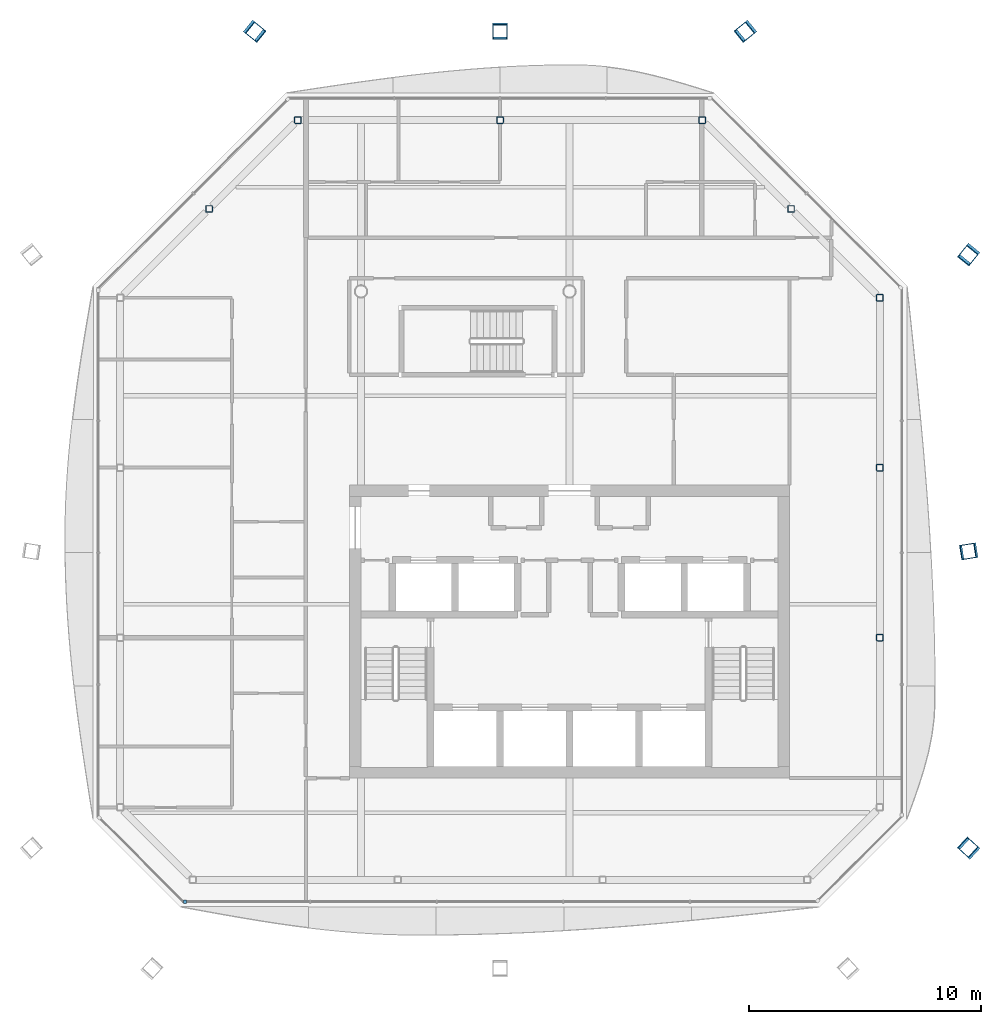
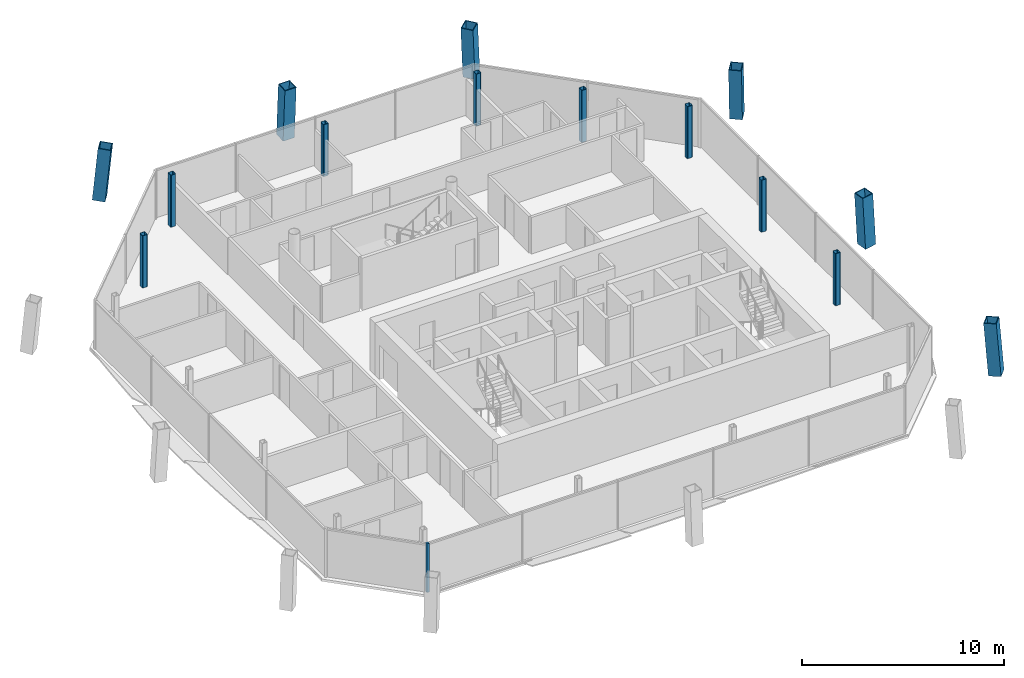
# One storey, part 2 of 16: 14 columns, 1 member, 1 element without a shape of its own.
"""IFC4 building model written with IfcOpenShell, lengths in metres."""

from ifc_helpers import new_model, si_unit, direction, frame, origin, origin_2d, place, context, subcontext, project, spatial, rectangle, hollow_rectangle, extrude, material, material_profile, profile_set, type_object, element, aggregate, save


model = new_model("IFC4")

# Units and contexts
model_context = context("Model", 3, precision=1e-05, world=origin(), true_north=direction((0.0, 1.0)))
body_context = subcontext(model_context, "Body", "Model", "MODEL_VIEW")
ifc_project = project(units=[si_unit("LENGTHUNIT", "METRE"), si_unit("AREAUNIT", "SQUARE_METRE"), si_unit("VOLUMEUNIT", "CUBIC_METRE"), si_unit("PLANEANGLEUNIT", "RADIAN"), si_unit("MASSUNIT", "GRAM", prefix="KILO")], contexts=[model_context])

# Site, building, storey
site_placement = place(None, origin())
site = spatial("IfcSite", under=ifc_project, at=site_placement, CompositionType="ELEMENT")
building_placement = place(site_placement, origin())
building = spatial("IfcBuilding", under=site, at=building_placement, Name="Tskaro Facet Tower", CompositionType="ELEMENT")
storey_placement = place(building_placement, frame((0.0, 0.0, 248.699951171875)))
storey = spatial("IfcBuildingStorey", under=building, at=storey_placement, Name="L65", CompositionType="ELEMENT", Elevation=248.699951171875)

# Columns
ifc_material_1 = material(Name="Steel S355J2", Category="steel")
ifc_material_profile_1 = material_profile(ifc_material_1, hollow_rectangle(XDim=0.64990234375, YDim=0.64990234375, WallThickness=0.0400390625, at=origin_2d()), Name="BOX 650x650x40")
ifc_profile_set_1 = profile_set([ifc_material_profile_1], Name="Steel S355J2")
column_type_1 = type_object("IfcColumnType", Name="BOX 650x650x40 mega column", PredefinedType="COLUMN", material=ifc_profile_set_1)
column_1_placement = place(storey_placement, frame((17.258056640625, -15.052978515625, 0.0), z_axis=(-0.05763896177, 0.052848592293, 0.996937699347), x_axis=(-0.675814105711, -0.737072109445, 0.0)))
element("IfcColumn", 1, at=column_1_placement, inside=storey, type_object=column_type_1, Name="BOX 650x650x40 MC04/5", PredefinedType="COLUMN", context=body_context, shape_type="SweptSolid", body=[
    extrude(hollow_rectangle(XDim=0.64990234375, YDim=0.64990234375, WallThickness=0.0400390625, at=origin_2d()), origin(), (0.0, 0.0, 1.0), 3.159912109375),
])
column_2_placement = place(storey_placement, frame((17.258056640625, -2.2119140625, 0.0), z_axis=(-0.057717176415, -0.009206895434, 0.998290519149), x_axis=(0.157525830017, -0.987514867168, 0.0)))
element("IfcColumn", 2, at=column_2_placement, inside=storey, type_object=column_type_1, Name="BOX 650x650x40 MC05/5", PredefinedType="COLUMN", context=body_context, shape_type="SweptSolid", body=[
    extrude(hollow_rectangle(XDim=0.64990234375, YDim=0.64990234375, WallThickness=0.0400390625, at=origin_2d()), origin(), (0.0, 0.0, 1.0), 3.155517578125),
])
for number, where, z_axis, x_axis, name in (
    (3, (17.258056640625, 10.62890625, 0.0), (-0.057572363847, -0.071386644181, 0.995785805258), (0.77839977459, -0.627768899291, 0.0), "BOX 650x650x40 MC06/5"),
    (4, (7.62890625, 20.258056640625, 0.0), (-0.071386644181, -0.057572363847, 0.995785805258), (0.627768899291, -0.77839977459, 0.0), "BOX 650x650x40 MC07/5"),
):
    element("IfcColumn", number, at=place(storey_placement, frame(where, z_axis=z_axis, x_axis=x_axis)), inside=storey, type_object=column_type_1, Name=name, PredefinedType="COLUMN", context=body_context, shape_type="SweptSolid", body=[
        extrude(hollow_rectangle(XDim=0.64990234375, YDim=0.64990234375, WallThickness=0.0400390625, at=origin_2d()), origin(), (0.0, 0.0, 1.0), 3.16357421875),
    ])
column_3_placement = place(storey_placement, frame((-3.0, 20.258056640625, 0.0), z_axis=(0.0, -0.057719622824, 0.998332832847), x_axis=(1.0, 0.0, 0.0)))
element("IfcColumn", 5, at=column_3_placement, inside=storey, type_object=column_type_1, Name="BOX 650x650x40 MC08/5", PredefinedType="COLUMN", context=body_context, shape_type="SweptSolid", body=[
    extrude(hollow_rectangle(XDim=0.64990234375, YDim=0.64990234375, WallThickness=0.0400390625, at=origin_2d()), origin(), (0.0, 0.0, 1.0), 3.155517578125),
])
column_4_placement = place(storey_placement, frame((-13.62890625, 20.258056640625, 0.0), z_axis=(0.071386644181, -0.057572363847, 0.995785805258), x_axis=(0.627768899291, 0.77839977459, 0.0)))
element("IfcColumn", 6, at=column_4_placement, inside=storey, type_object=column_type_1, Name="BOX 650x650x40 MC09/5", PredefinedType="COLUMN", context=body_context, shape_type="SweptSolid", body=[
    extrude(hollow_rectangle(XDim=0.64990234375, YDim=0.64990234375, WallThickness=0.0400390625, at=origin_2d()), origin(), (0.0, 0.0, 1.0), 3.16357421875),
])
ifc_material_2 = material(Name="Steel S355J2H", Category="steel")
ifc_material_profile_2 = material_profile(ifc_material_2, hollow_rectangle(XDim=0.300048828125, YDim=0.300048828125, WallThickness=0.02001953125, InnerFilletRadius=0.030029296875, OuterFilletRadius=0.050048828125, at=origin_2d()), Name="SHS 300x300x20")
ifc_profile_set_2 = profile_set([ifc_material_profile_2], Name="Steel S355J2H")
column_type_2 = type_object("IfcColumnType", Name="SHS 300x300x20 ring column", PredefinedType="COLUMN", material=ifc_profile_set_2)
for number, where, z_axis, x_axis, name in (
    (7, (13.39111328125, -5.93701171875, 0.0), (0.0, 0.0, 1.0), (1.0, 0.0, 0.0), "SHS 300x300x20 RE-2/5"),
    (8, (13.39111328125, 1.39404296875, 0.0), (0.0, 0.0, 1.0), (1.0, 0.0, 0.0), "SHS 300x300x20 RE-3/5"),
    (9, (13.39111328125, 8.72509765625, 0.0), (0.0, 0.0, 1.0), (1.0, 0.0, 0.0), "SHS 300x300x20 RNE-1/5"),
    (10, (9.55810546875, 12.55810546875, 0.0), (0.0, 0.0, 1.0), (1.0, 0.0, 0.0), "SHS 300x300x20 RNE-2/5"),
    (11, (5.72509765625, 16.39111328125, 0.0), (0.0, 0.0, 1.0), (1.0, 0.0, 0.0), "SHS 300x300x20 RN-1/5"),
    (12, (-3.0, 16.39111328125, 0.0), (0.0, 0.0, 1.0), (1.0, 0.0, 0.0), "SHS 300x300x20 RN-2/5"),
    (13, (-11.72509765625, 16.39111328125, 0.0), (0.0, 0.0, 1.0), (1.0, 0.0, 0.0), "SHS 300x300x20 RNW-1/5"),
    (14, (-15.55810546875, 12.55810546875, 0.0), (0.0, 0.0, 1.0), (1.0, 0.0, 0.0), "SHS 300x300x20 RNW-2/5"),
):
    element("IfcColumn", number, at=place(storey_placement, frame(where, z_axis=z_axis, x_axis=x_axis)), inside=storey, type_object=column_type_2, Name=name, PredefinedType="COLUMN", context=body_context, shape_type="SweptSolid", body=[
        extrude(hollow_rectangle(XDim=0.300048828125, YDim=0.300048828125, WallThickness=0.02001953125, InnerFilletRadius=0.030029296875, OuterFilletRadius=0.050048828125, at=origin_2d()), origin(), (0.0, 0.0, 1.0), 3.150146484375),
    ])

# Curtain wall, member
ifc_material_3 = material(Name="Bronze anodised aluminium 6063-T6", Category="aluminium")
curtain_wall_type = type_object("IfcCurtainWallType", Name="Bronze residence curtain wall (FW3)", PredefinedType="NOTDEFINED", material=ifc_material_3)
curtain_wall_placement = place(storey_placement, origin())
curtain_wall = element("IfcCurtainWall", 15, at=curtain_wall_placement, inside=storey, type_object=curtain_wall_type, Name="FW3 south facet L65", PredefinedType="NOTDEFINED")
ifc_material_profile_3 = material_profile(ifc_material_3, rectangle(XDim=0.139892578125, YDim=0.139892578125, at=origin_2d()), Name="Corner post 140x140")
ifc_profile_set_3 = profile_set([ifc_material_profile_3], Name="Bronze anodised aluminium 6063-T6")
member_type = type_object("IfcMemberType", Name="FW3 bronze corner post 140x140", PredefinedType="MULLION", material=ifc_profile_set_3)
member_placement = place(storey_placement, frame((-16.591064453125, -17.341064453125, 0.0), z_axis=(0.0, 0.0, 1.0), x_axis=(1.0, 0.0, 0.0)))
member = element("IfcMember", 16, at=member_placement, type_object=member_type, Name="FW3 south corner post", PredefinedType="MULLION", context=body_context, shape_type="SweptSolid", body=[
    extrude(rectangle(XDim=0.139892578125, YDim=0.139892578125, at=origin_2d()), origin(), (0.0, 0.0, 1.0), 2.949951171875),
])
aggregate(curtain_wall, [member])

save(model, "model.ifc")
